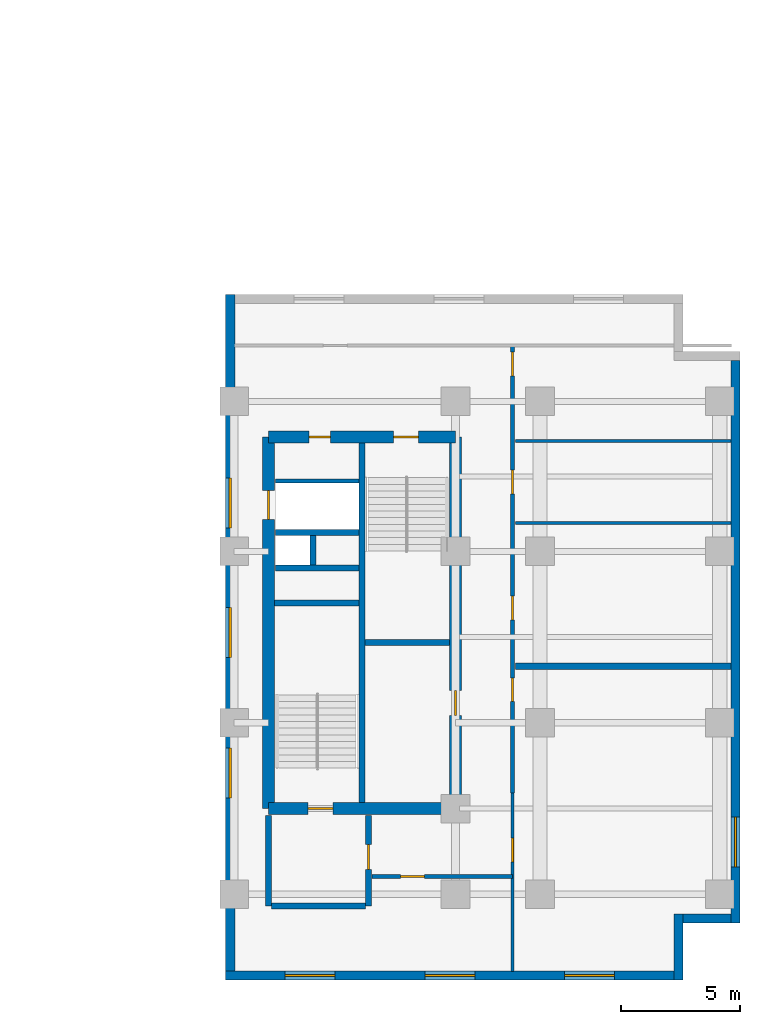
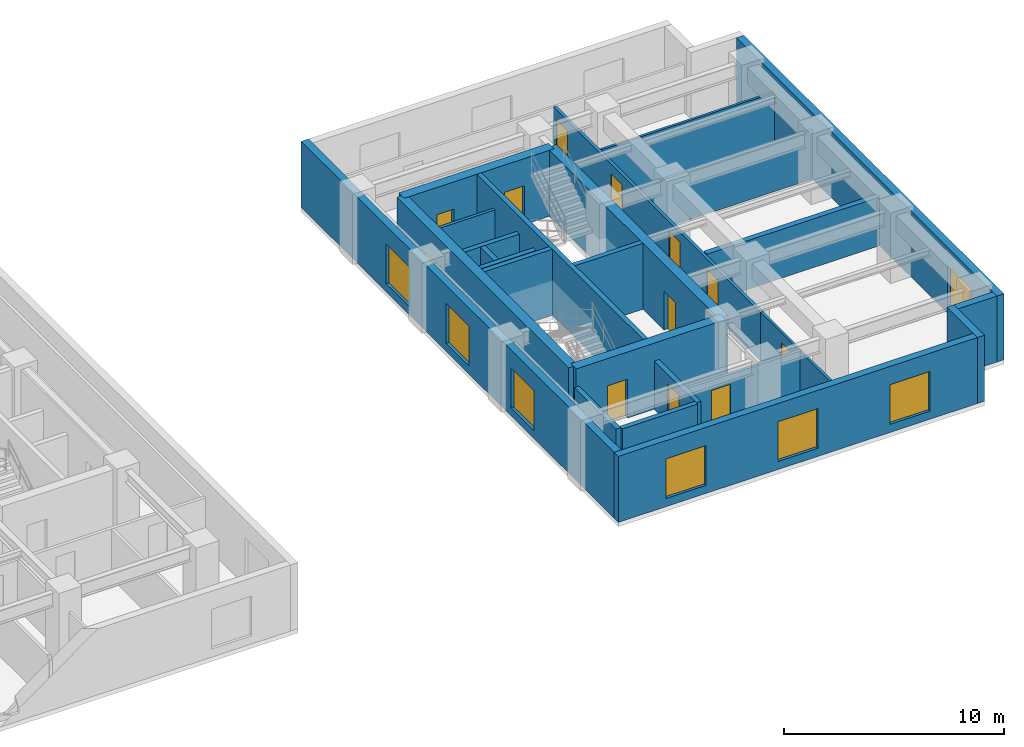
# One storey, part 4 of 8: 25 walls, 12 doors, 7 windows, 19 openings.
"""IFC4 building model written with IfcOpenShell, lengths in metres."""

from ifc_helpers import new_model, entity, si_unit, converted_unit, direction, frame, origin_with_axes, origin_2d_with_axis, place, context, subcontext, project, spatial, polyline, rectangle, outline, extrude, material, layer, layer_set, type_object, element, fill, save


model = new_model("IFC4")

# Units and contexts
model_context = context("Model", 3, precision=1e-05, world=origin_with_axes(), true_north=direction((0.0, 1.0)))
body_context = subcontext(model_context, "Body", "Model", "MODEL_VIEW")
ifc_project = project(units=[si_unit("LENGTHUNIT", "METRE"), si_unit("AREAUNIT", "SQUARE_METRE"), si_unit("VOLUMEUNIT", "CUBIC_METRE"), converted_unit("PLANEANGLEUNIT", "DEGREE", entity("IfcPlaneAngleMeasure", 0.017453292519943295), si_unit("PLANEANGLEUNIT", "RADIAN"), dimensions=[0, 0, 0, 0, 0, 0, 0]), si_unit("MASSUNIT", "GRAM", prefix="KILO"), si_unit("THERMODYNAMICTEMPERATUREUNIT", "KELVIN")], contexts=[model_context])

# Site, building, storey
site_placement = place(None, origin_with_axes())
site = spatial("IfcSite", under=ifc_project, at=site_placement, CompositionType="ELEMENT")
building_placement = place(site_placement, origin_with_axes())
building = spatial("IfcBuilding", under=site, at=building_placement, Name="Varnlund Millrace Tower", CompositionType="ELEMENT")
storey_placement = place(building_placement, frame((0.0, 0.0, 116.4), z_axis=(0.0, 0.0, 1.0), x_axis=(1.0, 0.0, 0.0)))
storey = spatial("IfcBuildingStorey", under=building, at=storey_placement, Name="L28", CompositionType="ELEMENT", Elevation=116.4)

# Wall, opening, door
ifc_material_1 = material(Name="Concrete C70/85", Category="concrete")
ifc_layer_1 = layer(ifc_material_1, 0.5, Name="Concrete C70/85")
ifc_layer_set_1 = layer_set([ifc_layer_1], Name="Concrete C70/85")
wall_type_1 = type_object("IfcWallType", Name="Type-CoreWall-Shear-500-C70", PredefinedType="SHEAR", material=ifc_layer_set_1)
wall_1_placement = place(storey_placement, frame((40.2, 7.2, 0.0), z_axis=(0.0, 0.0, 1.0), x_axis=(0.0, 1.0, 0.0)))
wall_1 = element("IfcWall", 1, at=wall_1_placement, inside=storey, type_object=wall_type_1, Name="Type-CoreWall-Shear-500-C70", PredefinedType="SHEAR", context=body_context, shape_type="SweptSolid", body=[
    extrude(outline(polyline([(0.0, -0.25), (15.6, -0.25), (15.6, 0.25), (0.0, 0.25), (0.0, -0.25)])), origin_with_axes(), (0.0, 0.0, 1.0), 3.66),
])
opening_1_placement = place(wall_1_placement, frame((12.75, 0.0, 0.0), z_axis=(0.0, 0.0, 1.0), x_axis=(1.0, 0.0, 0.0)))
opening_1 = element("IfcOpeningElement", 2, at=opening_1_placement, cuts=wall_1, Name="Opening L28:LD-SRV2", PredefinedType="OPENING", context=body_context, shape_type="SweptSolid", body=[
    extrude(rectangle(XDim=1.2, YDim=0.52, at=origin_2d_with_axis()), origin_with_axes(), (0.0, 0.0, 1.0), 2.15),
])
ifc_material_2 = material(Name="Heavy-duty freight sliding landing door")
door_type_1 = type_object("IfcDoorType", Name="Type-LiftLandingDoor-Service-1200X2150", OperationType="NOTDEFINED", PredefinedType="DOOR", material=ifc_material_2)
door_1_placement = place(wall_1_placement, frame((12.75, 0.0, 0.0), z_axis=(0.0, 0.0, 1.0), x_axis=(1.0, 0.0, 0.0)))
door_1 = element("IfcDoor", 3, at=door_1_placement, inside=storey, type_object=door_type_1, Name="Type-LiftLandingDoor-Service-1200X2150", OperationType="DOUBLE_DOOR_SLIDING", OverallHeight=2.15, OverallWidth=1.2, PredefinedType="DOOR", context=body_context, shape_type="SweptSolid", body=[
    extrude(rectangle(XDim=1.2, YDim=0.09, at=origin_2d_with_axis()), origin_with_axes(), (0.0, 0.0, 1.0), 2.15),
])
fill(opening_1, door_1)

wall_2_placement = place(storey_placement, frame((40.2, 7.2, 0.0), z_axis=(0.0, 0.0, 1.0), x_axis=(1.0, 0.0, 0.0)))
wall_2 = element("IfcWall", 4, at=wall_2_placement, inside=storey, type_object=wall_type_1, Name="Type-CoreWall-Shear-500-C70", PredefinedType="SHEAR", context=body_context, shape_type="SweptSolid", body=[
    extrude(outline(polyline([(0.0, -0.25), (7.85, -0.25), (7.85, 0.25), (0.0, 0.25), (0.0, -0.25)])), origin_with_axes(), (0.0, 0.0, 1.0), 3.66),
])
opening_2_placement = place(wall_2_placement, frame((2.175, 0.0, 0.0), z_axis=(0.0, 0.0, 1.0), x_axis=(1.0, 0.0, 0.0)))
opening_2 = element("IfcOpeningElement", 5, at=opening_2_placement, cuts=wall_2, Name="Opening L28:DR-STB1", PredefinedType="OPENING", context=body_context, shape_type="SweptSolid", body=[
    extrude(rectangle(XDim=1.05, YDim=0.52, at=origin_2d_with_axis()), origin_with_axes(), (0.0, 0.0, 1.0), 2.15),
])
ifc_material_3 = material(Name="Fire-rated hollow steel door", Category="steel")
door_type_2 = type_object("IfcDoorType", Name="Type-FireDoor-Stair-1050X2150", OperationType="NOTDEFINED", PredefinedType="DOOR", material=ifc_material_3)
door_2_placement = place(wall_2_placement, frame((2.175, 0.0, 0.0), z_axis=(0.0, 0.0, 1.0), x_axis=(1.0, 0.0, 0.0)))
door_2 = element("IfcDoor", 6, at=door_2_placement, inside=storey, type_object=door_type_2, Name="Type-FireDoor-Stair-1050X2150", OperationType="SINGLE_SWING_LEFT", OverallHeight=2.15, OverallWidth=1.05, PredefinedType="DOOR", context=body_context, shape_type="SweptSolid", body=[
    extrude(rectangle(XDim=1.05, YDim=0.09, at=origin_2d_with_axis()), origin_with_axes(), (0.0, 0.0, 1.0), 2.15),
])
fill(opening_2, door_2)

# Wall, openings, doors
wall_3_placement = place(storey_placement, frame((40.2, 22.8, 0.0), z_axis=(0.0, 0.0, 1.0), x_axis=(1.0, 0.0, 0.0)))
wall_3 = element("IfcWall", 7, at=wall_3_placement, inside=storey, type_object=wall_type_1, Name="Type-CoreWall-Shear-500-C70", PredefinedType="SHEAR", context=body_context, shape_type="SweptSolid", body=[
    extrude(outline(polyline([(0.0, -0.25), (7.85, -0.25), (7.85, 0.25), (0.0, 0.25), (0.0, -0.25)])), origin_with_axes(), (0.0, 0.0, 1.0), 3.66),
])
opening_3_placement = place(wall_3_placement, frame((5.775, 0.0, 0.0), z_axis=(0.0, 0.0, 1.0), x_axis=(1.0, 0.0, 0.0)))
opening_3 = element("IfcOpeningElement", 8, at=opening_3_placement, cuts=wall_3, Name="Opening L28:DR-STB2", PredefinedType="OPENING", context=body_context, shape_type="SweptSolid", body=[
    extrude(rectangle(XDim=1.05, YDim=0.52, at=origin_2d_with_axis()), origin_with_axes(), (0.0, 0.0, 1.0), 2.15),
])
opening_4_placement = place(wall_3_placement, frame((2.15, 0.0, 0.0), z_axis=(0.0, 0.0, 1.0), x_axis=(1.0, 0.0, 0.0)))
opening_4 = element("IfcOpeningElement", 9, at=opening_4_placement, cuts=wall_3, Name="Opening L28:DR-CB-NW", PredefinedType="OPENING", context=body_context, shape_type="SweptSolid", body=[
    extrude(rectangle(XDim=0.9, YDim=0.52, at=origin_2d_with_axis()), origin_with_axes(), (0.0, 0.0, 1.0), 2.15),
])
ifc_material_4 = material(Name="Fire-rated hollow steel service closet door", Category="steel")
door_type_3 = type_object("IfcDoorType", Name="Type-FireDoor-Closet-900X2150", OperationType="NOTDEFINED", PredefinedType="DOOR", material=ifc_material_4)
door_3_placement = place(wall_3_placement, frame((2.15, 0.0, 0.0), z_axis=(0.0, 0.0, 1.0), x_axis=(1.0, 0.0, 0.0)))
door_3 = element("IfcDoor", 10, at=door_3_placement, inside=storey, type_object=door_type_3, Name="Type-FireDoor-Closet-900X2150", OperationType="SINGLE_SWING_LEFT", OverallHeight=2.15, OverallWidth=0.9, PredefinedType="DOOR", context=body_context, shape_type="SweptSolid", body=[
    extrude(rectangle(XDim=0.9, YDim=0.09, at=origin_2d_with_axis()), origin_with_axes(), (0.0, 0.0, 1.0), 2.15),
])
fill(opening_4, door_3)
door_4_placement = place(wall_3_placement, frame((5.775, 0.0, 0.0), z_axis=(0.0, 0.0, 1.0), x_axis=(1.0, 0.0, 0.0)))
door_4 = element("IfcDoor", 11, at=door_4_placement, inside=storey, type_object=door_type_2, Name="Type-FireDoor-Stair-1050X2150", OperationType="SINGLE_SWING_RIGHT", OverallHeight=2.15, OverallWidth=1.05, PredefinedType="DOOR", context=body_context, shape_type="SweptSolid", body=[
    extrude(rectangle(XDim=1.05, YDim=0.09, at=origin_2d_with_axis()), origin_with_axes(), (0.0, 0.0, 1.0), 2.15),
])
fill(opening_3, door_4)

# Wall, opening, door
wall_4_placement = place(storey_placement, frame((48.05, 7.2, 0.0), z_axis=(0.0, 0.0, 1.0), x_axis=(0.0, 1.0, 0.0)))
wall_4 = element("IfcWall", 12, at=wall_4_placement, inside=storey, type_object=wall_type_1, Name="Type-CoreWall-Shear-500-C70", PredefinedType="SHEAR", context=body_context, shape_type="SweptSolid", body=[
    extrude(outline(polyline([(0.0, -0.25), (15.6, -0.25), (15.6, 0.25), (0.0, 0.25), (0.0, -0.25)])), origin_with_axes(), (0.0, 0.0, 1.0), 3.66),
])
opening_5_placement = place(wall_4_placement, frame((4.425, 0.0, 0.0), z_axis=(0.0, 0.0, 1.0), x_axis=(1.0, 0.0, 0.0)))
opening_5 = element("IfcOpeningElement", 13, at=opening_5_placement, cuts=wall_4, Name="Opening L28:DR-CB-WC", PredefinedType="OPENING", context=body_context, shape_type="SweptSolid", body=[
    extrude(rectangle(XDim=1.05, YDim=0.52, at=origin_2d_with_axis()), origin_with_axes(), (0.0, 0.0, 1.0), 2.15),
])
ifc_material_5 = material(Name="Smoke-barrier hollow steel fire door", Category="steel")
door_type_4 = type_object("IfcDoorType", Name="Type-FireDoor-Lobby-1050X2150", OperationType="NOTDEFINED", PredefinedType="DOOR", material=ifc_material_5)
door_5_placement = place(wall_4_placement, frame((4.425, 0.0, 0.0), z_axis=(0.0, 0.0, 1.0), x_axis=(1.0, 0.0, 0.0)))
door_5 = element("IfcDoor", 14, at=door_5_placement, inside=storey, type_object=door_type_4, Name="Type-FireDoor-Lobby-1050X2150", OperationType="SINGLE_SWING_RIGHT", OverallHeight=2.15, OverallWidth=1.05, PredefinedType="DOOR", context=body_context, shape_type="SweptSolid", body=[
    extrude(rectangle(XDim=1.05, YDim=0.09, at=origin_2d_with_axis()), origin_with_axes(), (0.0, 0.0, 1.0), 2.15),
])
fill(opening_5, door_5)

# Wall, opening, window
ifc_material_6 = material(Name="Precast concrete C50/60", Category="concrete")
ifc_layer_2 = layer(ifc_material_6, 0.38, Name="Precast concrete C50/60")
ifc_layer_set_2 = layer_set([ifc_layer_2], Name="Precast concrete C50/60")
wall_type_2 = type_object("IfcWallType", Name="Type-ExtWall-Precast-Tube-380", PredefinedType="SOLIDWALL", material=ifc_layer_set_2)
wall_5_placement = place(storey_placement, frame((59.81, 26.02, 0.0), z_axis=(0.0, 0.0, 1.0), x_axis=(0.0, -1.0, 0.0)))
wall_5 = element("IfcWall", 15, at=wall_5_placement, inside=storey, type_object=wall_type_2, Name="Type-ExtWall-Precast-Tube-380", PredefinedType="SOLIDWALL", context=body_context, shape_type="SweptSolid", body=[
    extrude(outline(polyline([(0.0, -0.19), (23.62, -0.19), (23.62, 0.19), (0.0, 0.19), (0.0, -0.19)])), origin_with_axes(), (0.0, 0.0, 1.0), 3.66),
])
opening_6_placement = place(wall_5_placement, frame((20.218, 0.0, 0.45), z_axis=(0.0, 0.0, 1.0), x_axis=(1.0, 0.0, 0.0)))
opening_6 = element("IfcOpeningElement", 16, at=opening_6_placement, cuts=wall_5, Name="Opening L28:WN-14", PredefinedType="OPENING", context=body_context, shape_type="SweptSolid", body=[
    extrude(rectangle(XDim=2.1, YDim=0.4, at=origin_2d_with_axis()), origin_with_axes(), (0.0, 0.0, 1.0), 2.2),
])
ifc_material_7 = material(Name="Argon low-e triple glazing in thermally broken bronze frame", Category="glass")
window_type = type_object("IfcWindowType", Name="Type-Window-Punched-2100X2200", PartitioningType="SINGLE_PANEL", PredefinedType="WINDOW", material=ifc_material_7)
window_1_placement = place(wall_5_placement, frame((20.218, 0.0, 0.45), z_axis=(0.0, 0.0, 1.0), x_axis=(1.0, 0.0, 0.0)))
window_1 = element("IfcWindow", 17, at=window_1_placement, inside=storey, type_object=window_type, Name="Type-Window-Punched-2100X2200", OverallHeight=2.2, OverallWidth=2.1, PredefinedType="WINDOW", context=body_context, shape_type="SweptSolid", body=[
    extrude(rectangle(XDim=2.1, YDim=0.09, at=origin_2d_with_axis()), origin_with_axes(), (0.0, 0.0, 1.0), 2.2),
])
fill(opening_6, window_1)

# Walls
wall_6_placement = place(storey_placement, frame((59.62, 2.59, 0.0), z_axis=(0.0, 0.0, 1.0), x_axis=(-1.0, 0.0, 0.0)))
element("IfcWall", 18, at=wall_6_placement, inside=storey, type_object=wall_type_2, Name="Type-ExtWall-Precast-Tube-380", PredefinedType="SOLIDWALL", context=body_context, shape_type="SweptSolid", body=[
    extrude(outline(polyline([(0.0, -0.19), (2.02, -0.19), (2.02, 0.19), (0.0, 0.19), (0.0, -0.19)])), origin_with_axes(), (0.0, 0.0, 1.0), 3.66),
])
wall_7_placement = place(storey_placement, frame((57.41, 2.78, 0.0), z_axis=(0.0, 0.0, 1.0), x_axis=(0.0, -1.0, 0.0)))
element("IfcWall", 19, at=wall_7_placement, inside=storey, type_object=wall_type_2, Name="Type-ExtWall-Precast-Tube-380", PredefinedType="SOLIDWALL", context=body_context, shape_type="SweptSolid", body=[
    extrude(outline(polyline([(0.0, -0.19), (2.78, -0.19), (2.78, 0.19), (0.0, 0.19), (0.0, -0.19)])), origin_with_axes(), (0.0, 0.0, 1.0), 3.66),
])

# Wall, openings, windows
wall_8_placement = place(storey_placement, frame((57.22, 0.19, 0.0), z_axis=(0.0, 0.0, 1.0), x_axis=(-1.0, 0.0, 0.0)))
wall_8 = element("IfcWall", 20, at=wall_8_placement, inside=storey, type_object=wall_type_2, Name="Type-ExtWall-Precast-Tube-380", PredefinedType="SOLIDWALL", context=body_context, shape_type="SweptSolid", body=[
    extrude(outline(polyline([(0.0, -0.19), (18.82, -0.19), (18.82, 0.19), (0.0, 0.19), (0.0, -0.19)])), origin_with_axes(), (0.0, 0.0, 1.0), 3.66),
])
opening_7_placement = place(wall_8_placement, frame((3.537, 0.0, 0.45), z_axis=(0.0, 0.0, 1.0), x_axis=(1.0, 0.0, 0.0)))
opening_7 = element("IfcOpeningElement", 21, at=opening_7_placement, cuts=wall_8, Name="Opening L28:WN-15", PredefinedType="OPENING", context=body_context, shape_type="SweptSolid", body=[
    extrude(rectangle(XDim=2.1, YDim=0.4, at=origin_2d_with_axis()), origin_with_axes(), (0.0, 0.0, 1.0), 2.2),
])
opening_8_placement = place(wall_8_placement, frame((9.41, 0.0, 0.45), z_axis=(0.0, 0.0, 1.0), x_axis=(1.0, 0.0, 0.0)))
opening_8 = element("IfcOpeningElement", 22, at=opening_8_placement, cuts=wall_8, Name="Opening L28:WN-16", PredefinedType="OPENING", context=body_context, shape_type="SweptSolid", body=[
    extrude(rectangle(XDim=2.1, YDim=0.4, at=origin_2d_with_axis()), origin_with_axes(), (0.0, 0.0, 1.0), 2.2),
])
opening_9_placement = place(wall_8_placement, frame((15.283, 0.0, 0.45), z_axis=(0.0, 0.0, 1.0), x_axis=(1.0, 0.0, 0.0)))
opening_9 = element("IfcOpeningElement", 23, at=opening_9_placement, cuts=wall_8, Name="Opening L28:WN-17", PredefinedType="OPENING", context=body_context, shape_type="SweptSolid", body=[
    extrude(rectangle(XDim=2.1, YDim=0.4, at=origin_2d_with_axis()), origin_with_axes(), (0.0, 0.0, 1.0), 2.2),
])
window_2_placement = place(wall_8_placement, frame((3.537, 0.0, 0.45), z_axis=(0.0, 0.0, 1.0), x_axis=(1.0, 0.0, 0.0)))
window_2 = element("IfcWindow", 24, at=window_2_placement, inside=storey, type_object=window_type, Name="Type-Window-Punched-2100X2200", OverallHeight=2.2, OverallWidth=2.1, PredefinedType="WINDOW", context=body_context, shape_type="SweptSolid", body=[
    extrude(rectangle(XDim=2.1, YDim=0.09, at=origin_2d_with_axis()), origin_with_axes(), (0.0, 0.0, 1.0), 2.2),
])
fill(opening_7, window_2)
window_3_placement = place(wall_8_placement, frame((9.41, 0.0, 0.45), z_axis=(0.0, 0.0, 1.0), x_axis=(1.0, 0.0, 0.0)))
window_3 = element("IfcWindow", 25, at=window_3_placement, inside=storey, type_object=window_type, Name="Type-Window-Punched-2100X2200", OverallHeight=2.2, OverallWidth=2.1, PredefinedType="WINDOW", context=body_context, shape_type="SweptSolid", body=[
    extrude(rectangle(XDim=2.1, YDim=0.09, at=origin_2d_with_axis()), origin_with_axes(), (0.0, 0.0, 1.0), 2.2),
])
fill(opening_8, window_3)
window_4_placement = place(wall_8_placement, frame((15.283, 0.0, 0.45), z_axis=(0.0, 0.0, 1.0), x_axis=(1.0, 0.0, 0.0)))
window_4 = element("IfcWindow", 26, at=window_4_placement, inside=storey, type_object=window_type, Name="Type-Window-Punched-2100X2200", OverallHeight=2.2, OverallWidth=2.1, PredefinedType="WINDOW", context=body_context, shape_type="SweptSolid", body=[
    extrude(rectangle(XDim=2.1, YDim=0.09, at=origin_2d_with_axis()), origin_with_axes(), (0.0, 0.0, 1.0), 2.2),
])
fill(opening_9, window_4)

wall_9_placement = place(storey_placement, frame((38.59, 0.38, 0.0), z_axis=(0.0, 0.0, 1.0), x_axis=(0.0, 1.0, 0.0)))
wall_9 = element("IfcWall", 27, at=wall_9_placement, inside=storey, type_object=wall_type_2, Name="Type-ExtWall-Precast-Tube-380", PredefinedType="SOLIDWALL", context=body_context, shape_type="SweptSolid", body=[
    extrude(outline(polyline([(0.0, -0.19), (28.42, -0.19), (28.42, 0.19), (0.0, 0.19), (0.0, -0.19)])), origin_with_axes(), (0.0, 0.0, 1.0), 3.66),
])
opening_10_placement = place(wall_9_placement, frame((8.316, 0.0, 0.45), z_axis=(0.0, 0.0, 1.0), x_axis=(1.0, 0.0, 0.0)))
opening_10 = element("IfcOpeningElement", 28, at=opening_10_placement, cuts=wall_9, Name="Opening L28:WN-18", PredefinedType="OPENING", context=body_context, shape_type="SweptSolid", body=[
    extrude(rectangle(XDim=2.1, YDim=0.4, at=origin_2d_with_axis()), origin_with_axes(), (0.0, 0.0, 1.0), 2.2),
])
opening_11_placement = place(wall_9_placement, frame((14.21, 0.0, 0.45), z_axis=(0.0, 0.0, 1.0), x_axis=(1.0, 0.0, 0.0)))
opening_11 = element("IfcOpeningElement", 29, at=opening_11_placement, cuts=wall_9, Name="Opening L28:WN-19", PredefinedType="OPENING", context=body_context, shape_type="SweptSolid", body=[
    extrude(rectangle(XDim=2.1, YDim=0.4, at=origin_2d_with_axis()), origin_with_axes(), (0.0, 0.0, 1.0), 2.2),
])
opening_12_placement = place(wall_9_placement, frame((19.654, 0.0, 0.45), z_axis=(0.0, 0.0, 1.0), x_axis=(1.0, 0.0, 0.0)))
opening_12 = element("IfcOpeningElement", 30, at=opening_12_placement, cuts=wall_9, Name="Opening L28:WN-20", PredefinedType="OPENING", context=body_context, shape_type="SweptSolid", body=[
    extrude(rectangle(XDim=2.1, YDim=0.4, at=origin_2d_with_axis()), origin_with_axes(), (0.0, 0.0, 1.0), 2.2),
])
window_5_placement = place(wall_9_placement, frame((8.316, 0.0, 0.45), z_axis=(0.0, 0.0, 1.0), x_axis=(1.0, 0.0, 0.0)))
window_5 = element("IfcWindow", 31, at=window_5_placement, inside=storey, type_object=window_type, Name="Type-Window-Punched-2100X2200", OverallHeight=2.2, OverallWidth=2.1, PredefinedType="WINDOW", context=body_context, shape_type="SweptSolid", body=[
    extrude(rectangle(XDim=2.1, YDim=0.09, at=origin_2d_with_axis()), origin_with_axes(), (0.0, 0.0, 1.0), 2.2),
])
fill(opening_10, window_5)
window_6_placement = place(wall_9_placement, frame((14.21, 0.0, 0.45), z_axis=(0.0, 0.0, 1.0), x_axis=(1.0, 0.0, 0.0)))
window_6 = element("IfcWindow", 32, at=window_6_placement, inside=storey, type_object=window_type, Name="Type-Window-Punched-2100X2200", OverallHeight=2.2, OverallWidth=2.1, PredefinedType="WINDOW", context=body_context, shape_type="SweptSolid", body=[
    extrude(rectangle(XDim=2.1, YDim=0.09, at=origin_2d_with_axis()), origin_with_axes(), (0.0, 0.0, 1.0), 2.2),
])
fill(opening_11, window_6)
window_7_placement = place(wall_9_placement, frame((19.654, 0.0, 0.45), z_axis=(0.0, 0.0, 1.0), x_axis=(1.0, 0.0, 0.0)))
window_7 = element("IfcWindow", 33, at=window_7_placement, inside=storey, type_object=window_type, Name="Type-Window-Punched-2100X2200", OverallHeight=2.2, OverallWidth=2.1, PredefinedType="WINDOW", context=body_context, shape_type="SweptSolid", body=[
    extrude(rectangle(XDim=2.1, YDim=0.09, at=origin_2d_with_axis()), origin_with_axes(), (0.0, 0.0, 1.0), 2.2),
])
fill(opening_12, window_7)

# Walls
ifc_material_8 = material(Name="Double-stud STC-60 conference acoustic partition", Category="gypsum")
ifc_layer_3 = layer(ifc_material_8, 0.28, Name="Double-stud STC-60 conference acoustic partition")
ifc_layer_set_3 = layer_set([ifc_layer_3], Name="Double-stud STC-60 conference acoustic partition")
wall_type_3 = type_object("IfcWallType", Name="Type-Partition-Acoustic-280", PredefinedType="PARTITIONING", material=ifc_layer_set_3)
wall_10_placement = place(storey_placement, frame((50.57, 13.177, 0.0), z_axis=(0.0, 0.0, 1.0), x_axis=(1.0, 0.0, 0.0)))
element("IfcWall", 34, at=wall_10_placement, inside=storey, type_object=wall_type_3, Name="Type-Partition-Acoustic-280", PredefinedType="PARTITIONING", context=body_context, shape_type="SweptSolid", body=[
    extrude(outline(polyline([(0.0, -0.14), (9.055, -0.14), (9.055, 0.14), (0.0, 0.14), (0.0, -0.14)])), origin_with_axes(), (0.0, 0.0, 1.0), 2.7),
])
ifc_material_9 = material(Name="Fire-rated gypsum board on cold-formed steel framing", Category="steel")
ifc_layer_4 = layer(ifc_material_9, 0.16, Name="Fire-rated gypsum board on cold-formed steel framing")
ifc_layer_set_4 = layer_set([ifc_layer_4], Name="Fire-rated gypsum board on cold-formed steel framing")
wall_type_4 = type_object("IfcWallType", Name="Type-Partition-Corridor-160", PredefinedType="PARTITIONING", material=ifc_layer_set_4)
wall_11_placement = place(storey_placement, frame((40.5, 20.96, 0.0), z_axis=(0.0, 0.0, 1.0), x_axis=(1.0, 0.0, 0.0)))
element("IfcWall", 35, at=wall_11_placement, inside=storey, type_object=wall_type_4, Name="Type-Partition-Corridor-160", PredefinedType="PARTITIONING", context=body_context, shape_type="SweptSolid", body=[
    extrude(outline(polyline([(0.0, -0.08), (3.5, -0.08), (3.5, 0.08), (0.0, 0.08), (0.0, -0.08)])), origin_with_axes(), (0.0, 0.0, 1.0), 2.7),
])

# Wall, openings, doors
wall_12_placement = place(storey_placement, frame((50.45, 7.85, 0.0), z_axis=(0.0, 0.0, 1.0), x_axis=(0.0, 1.0, 0.0)))
wall_12 = element("IfcWall", 36, at=wall_12_placement, inside=storey, type_object=wall_type_4, Name="Type-Partition-Corridor-160", PredefinedType="PARTITIONING", context=body_context, shape_type="SweptSolid", body=[
    extrude(outline(polyline([(0.0, -0.08), (18.8, -0.08), (18.8, 0.08), (0.0, 0.08), (0.0, -0.08)])), origin_with_axes(), (0.0, 0.0, 1.0), 2.7),
])
opening_13_placement = place(wall_12_placement, frame((4.344, 0.0, 0.0), z_axis=(0.0, 0.0, 1.0), x_axis=(1.0, 0.0, 0.0)))
opening_13 = element("IfcOpeningElement", 37, at=opening_13_placement, cuts=wall_12, Name="Opening L28:DR-WB-01", PredefinedType="OPENING", context=body_context, shape_type="SweptSolid", body=[
    extrude(rectangle(XDim=1.0, YDim=0.18, at=origin_2d_with_axis()), origin_with_axes(), (0.0, 0.0, 1.0), 2.15),
])
opening_14_placement = place(wall_12_placement, frame((7.776, 0.0, 0.0), z_axis=(0.0, 0.0, 1.0), x_axis=(1.0, 0.0, 0.0)))
opening_14 = element("IfcOpeningElement", 38, at=opening_14_placement, cuts=wall_12, Name="Opening L28:DR-WB-02", PredefinedType="OPENING", context=body_context, shape_type="SweptSolid", body=[
    extrude(rectangle(XDim=1.0, YDim=0.18, at=origin_2d_with_axis()), origin_with_axes(), (0.0, 0.0, 1.0), 2.15),
])
opening_15_placement = place(wall_12_placement, frame((13.071, 0.0, 0.0), z_axis=(0.0, 0.0, 1.0), x_axis=(1.0, 0.0, 0.0)))
opening_15 = element("IfcOpeningElement", 39, at=opening_15_placement, cuts=wall_12, Name="Opening L28:DR-WB-03", PredefinedType="OPENING", context=body_context, shape_type="SweptSolid", body=[
    extrude(rectangle(XDim=1.0, YDim=0.18, at=origin_2d_with_axis()), origin_with_axes(), (0.0, 0.0, 1.0), 2.15),
])
opening_16_placement = place(wall_12_placement, frame((18.018, 0.0, 0.0), z_axis=(0.0, 0.0, 1.0), x_axis=(1.0, 0.0, 0.0)))
opening_16 = element("IfcOpeningElement", 40, at=opening_16_placement, cuts=wall_12, Name="Opening L28:DR-WB-04", PredefinedType="OPENING", context=body_context, shape_type="SweptSolid", body=[
    extrude(rectangle(XDim=1.0, YDim=0.18, at=origin_2d_with_axis()), origin_with_axes(), (0.0, 0.0, 1.0), 2.15),
])
ifc_material_10 = material(Name="Solid-core white oak and bronze frame door")
door_type_5 = type_object("IfcDoorType", Name="Type-IntDoor-Office-1000X2150", OperationType="NOTDEFINED", PredefinedType="DOOR", material=ifc_material_10)
door_6_placement = place(wall_12_placement, frame((4.344, 0.0, 0.0), z_axis=(0.0, 0.0, 1.0), x_axis=(1.0, 0.0, 0.0)))
door_6 = element("IfcDoor", 41, at=door_6_placement, inside=storey, type_object=door_type_5, Name="Type-IntDoor-Office-1000X2150", OperationType="SINGLE_SWING_LEFT", OverallHeight=2.15, OverallWidth=1.0, PredefinedType="DOOR", context=body_context, shape_type="SweptSolid", body=[
    extrude(rectangle(XDim=1.0, YDim=0.09, at=origin_2d_with_axis()), origin_with_axes(), (0.0, 0.0, 1.0), 2.15),
])
fill(opening_13, door_6)
door_7_placement = place(wall_12_placement, frame((7.776, 0.0, 0.0), z_axis=(0.0, 0.0, 1.0), x_axis=(1.0, 0.0, 0.0)))
door_7 = element("IfcDoor", 42, at=door_7_placement, inside=storey, type_object=door_type_5, Name="Type-IntDoor-Office-1000X2150", OperationType="SINGLE_SWING_RIGHT", OverallHeight=2.15, OverallWidth=1.0, PredefinedType="DOOR", context=body_context, shape_type="SweptSolid", body=[
    extrude(rectangle(XDim=1.0, YDim=0.09, at=origin_2d_with_axis()), origin_with_axes(), (0.0, 0.0, 1.0), 2.15),
])
fill(opening_14, door_7)
door_8_placement = place(wall_12_placement, frame((13.071, 0.0, 0.0), z_axis=(0.0, 0.0, 1.0), x_axis=(1.0, 0.0, 0.0)))
door_8 = element("IfcDoor", 43, at=door_8_placement, inside=storey, type_object=door_type_5, Name="Type-IntDoor-Office-1000X2150", OperationType="SINGLE_SWING_LEFT", OverallHeight=2.15, OverallWidth=1.0, PredefinedType="DOOR", context=body_context, shape_type="SweptSolid", body=[
    extrude(rectangle(XDim=1.0, YDim=0.09, at=origin_2d_with_axis()), origin_with_axes(), (0.0, 0.0, 1.0), 2.15),
])
fill(opening_15, door_8)
door_9_placement = place(wall_12_placement, frame((18.018, 0.0, 0.0), z_axis=(0.0, 0.0, 1.0), x_axis=(1.0, 0.0, 0.0)))
door_9 = element("IfcDoor", 44, at=door_9_placement, inside=storey, type_object=door_type_5, Name="Type-IntDoor-Office-1000X2150", OperationType="SINGLE_SWING_RIGHT", OverallHeight=2.15, OverallWidth=1.0, PredefinedType="DOOR", context=body_context, shape_type="SweptSolid", body=[
    extrude(rectangle(XDim=1.0, YDim=0.09, at=origin_2d_with_axis()), origin_with_axes(), (0.0, 0.0, 1.0), 2.15),
])
fill(opening_16, door_9)

# Wall, opening, door
wall_13_placement = place(storey_placement, frame((44.55, 4.35, 0.0), z_axis=(0.0, 0.0, 1.0), x_axis=(1.0, 0.0, 0.0)))
wall_13 = element("IfcWall", 45, at=wall_13_placement, inside=storey, type_object=wall_type_4, Name="Type-Partition-Corridor-160", PredefinedType="PARTITIONING", context=body_context, shape_type="SweptSolid", body=[
    extrude(outline(polyline([(0.0, -0.08), (5.9, -0.08), (5.9, 0.08), (0.0, 0.08), (0.0, -0.08)])), origin_with_axes(), (0.0, 0.0, 1.0), 2.7),
])
opening_17_placement = place(wall_13_placement, frame((1.7, 0.0, 0.0), z_axis=(0.0, 0.0, 1.0), x_axis=(1.0, 0.0, 0.0)))
opening_17 = element("IfcOpeningElement", 46, at=opening_17_placement, cuts=wall_13, Name="Opening L28:DR-WBS-01", PredefinedType="OPENING", context=body_context, shape_type="SweptSolid", body=[
    extrude(rectangle(XDim=1.0, YDim=0.18, at=origin_2d_with_axis()), origin_with_axes(), (0.0, 0.0, 1.0), 2.15),
])
door_10_placement = place(wall_13_placement, frame((1.7, 0.0, 0.0), z_axis=(0.0, 0.0, 1.0), x_axis=(1.0, 0.0, 0.0)))
door_10 = element("IfcDoor", 47, at=door_10_placement, inside=storey, type_object=door_type_5, Name="Type-IntDoor-Office-1000X2150", OperationType="SINGLE_SWING_LEFT", OverallHeight=2.15, OverallWidth=1.0, PredefinedType="DOOR", context=body_context, shape_type="SweptSolid", body=[
    extrude(rectangle(XDim=1.0, YDim=0.09, at=origin_2d_with_axis()), origin_with_axes(), (0.0, 0.0, 1.0), 2.15),
])
fill(opening_17, door_10)

ifc_material_11 = material(Name="Gypsum board tenant partition", Category="gypsum")
ifc_layer_5 = layer(ifc_material_11, 0.125, Name="Gypsum board tenant partition")
ifc_layer_set_5 = layer_set([ifc_layer_5], Name="Gypsum board tenant partition")
wall_type_5 = type_object("IfcWallType", Name="Type-Partition-Tenant-125", PredefinedType="PARTITIONING", material=ifc_layer_set_5)
wall_14_placement = place(storey_placement, frame((50.45, 0.36, 0.0), z_axis=(0.0, 0.0, 1.0), x_axis=(0.0, 1.0, 0.0)))
wall_14 = element("IfcWall", 48, at=wall_14_placement, inside=storey, type_object=wall_type_5, Name="Type-Partition-Tenant-125", PredefinedType="PARTITIONING", context=body_context, shape_type="SweptSolid", body=[
    extrude(outline(polyline([(0.0, -0.0625), (7.49, -0.0625), (7.49, 0.0625), (0.0, 0.0625), (0.0, -0.0625)])), origin_with_axes(), (0.0, 0.0, 1.0), 2.7),
])
opening_18_placement = place(wall_14_placement, frame((5.1, 0.0, 0.0), z_axis=(0.0, 0.0, 1.0), x_axis=(1.0, 0.0, 0.0)))
opening_18 = element("IfcOpeningElement", 49, at=opening_18_placement, cuts=wall_14, Name="Opening L28:DR-WBS-02", PredefinedType="OPENING", context=body_context, shape_type="SweptSolid", body=[
    extrude(rectangle(XDim=1.0, YDim=0.145, at=origin_2d_with_axis()), origin_with_axes(), (0.0, 0.0, 1.0), 2.15),
])
door_11_placement = place(wall_14_placement, frame((5.1, 0.0, 0.0), z_axis=(0.0, 0.0, 1.0), x_axis=(1.0, 0.0, 0.0)))
door_11 = element("IfcDoor", 50, at=door_11_placement, inside=storey, type_object=door_type_5, Name="Type-IntDoor-Office-1000X2150", OperationType="SINGLE_SWING_LEFT", OverallHeight=2.15, OverallWidth=1.0, PredefinedType="DOOR", context=body_context, shape_type="SweptSolid", body=[
    extrude(rectangle(XDim=1.0, YDim=0.075, at=origin_2d_with_axis()), origin_with_axes(), (0.0, 0.0, 1.0), 2.15),
])
fill(opening_18, door_11)

# Walls
for number, where, z_axis, x_axis, name in (
    (51, (50.57, 19.195, 0.0), (0.0, 0.0, 1.0), (1.0, 0.0, 0.0), "Type-Partition-Tenant-125"),
    (52, (50.57, 22.647, 0.0), (0.0, 0.0, 1.0), (1.0, 0.0, 0.0), "Type-Partition-Tenant-125"),
):
    element("IfcWall", number, at=place(storey_placement, frame(where, z_axis=z_axis, x_axis=x_axis)), inside=storey, type_object=wall_type_5, Name=name, PredefinedType="PARTITIONING", context=body_context, shape_type="SweptSolid", body=[
        extrude(outline(polyline([(0.0, -0.0625), (9.055, -0.0625), (9.055, 0.0625), (0.0, 0.0625), (0.0, -0.0625)])), origin_with_axes(), (0.0, 0.0, 1.0), 2.7),
    ])
ifc_material_12 = material(Name="Concrete C60/75", Category="concrete")
ifc_layer_6 = layer(ifc_material_12, 0.25, Name="Concrete C60/75")
ifc_layer_set_6 = layer_set([ifc_layer_6], Name="Concrete C60/75")
wall_type_6 = type_object("IfcWallType", Name="Type-ShaftWall-Fire-250", PredefinedType="SOLIDWALL", material=ifc_layer_set_6)
for number, where, z_axis, x_axis, name in (
    (53, (40.5, 17.3, 0.0), (0.0, 0.0, 1.0), (1.0, 0.0, 0.0), "Type-ShaftWall-Fire-250"),
    (54, (40.5, 18.8, 0.0), (0.0, 0.0, 1.0), (1.0, 0.0, 0.0), "Type-ShaftWall-Fire-250"),
):
    element("IfcWall", number, at=place(storey_placement, frame(where, z_axis=z_axis, x_axis=x_axis)), inside=storey, type_object=wall_type_6, Name=name, PredefinedType="SOLIDWALL", context=body_context, shape_type="SweptSolid", body=[
        extrude(outline(polyline([(0.0, -0.125), (3.5, -0.125), (3.5, 0.125), (0.0, 0.125), (0.0, -0.125)])), origin_with_axes(), (0.0, 0.0, 1.0), 2.7),
    ])
wall_15_placement = place(storey_placement, frame((42.075, 17.43, 0.0), z_axis=(0.0, 0.0, 1.0), x_axis=(0.0, 1.0, 0.0)))
element("IfcWall", 55, at=wall_15_placement, inside=storey, type_object=wall_type_6, Name="Type-ShaftWall-Fire-250", PredefinedType="SOLIDWALL", context=body_context, shape_type="SweptSolid", body=[
    extrude(outline(polyline([(0.0, -0.125), (1.24, -0.125), (1.24, 0.125), (0.0, 0.125), (0.0, -0.125)])), origin_with_axes(), (0.0, 0.0, 1.0), 2.7),
])
wall_16_placement = place(storey_placement, frame((40.2, 3.1, 0.0), z_axis=(0.0, 0.0, 1.0), x_axis=(0.0, 1.0, 0.0)))
element("IfcWall", 56, at=wall_16_placement, inside=storey, type_object=wall_type_6, Name="Type-ShaftWall-Fire-250", PredefinedType="SOLIDWALL", context=body_context, shape_type="SweptSolid", body=[
    extrude(outline(polyline([(0.0, -0.125), (3.8, -0.125), (3.8, 0.125), (0.0, 0.125), (0.0, -0.125)])), origin_with_axes(), (0.0, 0.0, 1.0), 2.7),
])
wall_17_placement = place(storey_placement, frame((40.325, 3.1, 0.0), z_axis=(0.0, 0.0, 1.0), x_axis=(1.0, 0.0, 0.0)))
element("IfcWall", 57, at=wall_17_placement, inside=storey, type_object=wall_type_6, Name="Type-ShaftWall-Fire-250", PredefinedType="SOLIDWALL", context=body_context, shape_type="SweptSolid", body=[
    extrude(outline(polyline([(0.0, -0.125), (3.95, -0.125), (3.95, 0.125), (0.0, 0.125), (0.0, -0.125)])), origin_with_axes(), (0.0, 0.0, 1.0), 2.7),
])

# Wall, opening, door
wall_18_placement = place(storey_placement, frame((44.4, 3.1, 0.0), z_axis=(0.0, 0.0, 1.0), x_axis=(0.0, 1.0, 0.0)))
wall_18 = element("IfcWall", 58, at=wall_18_placement, inside=storey, type_object=wall_type_6, Name="Type-ShaftWall-Fire-250", PredefinedType="SOLIDWALL", context=body_context, shape_type="SweptSolid", body=[
    extrude(outline(polyline([(0.0, -0.125), (3.8, -0.125), (3.8, 0.125), (0.0, 0.125), (0.0, -0.125)])), origin_with_axes(), (0.0, 0.0, 1.0), 2.7),
])
opening_19_placement = place(wall_18_placement, frame((2.075, 0.0, 0.0), z_axis=(0.0, 0.0, 1.0), x_axis=(1.0, 0.0, 0.0)))
opening_19 = element("IfcOpeningElement", 59, at=opening_19_placement, cuts=wall_18, Name="Opening L28:DR-FFLOB-B", PredefinedType="OPENING", context=body_context, shape_type="SweptSolid", body=[
    extrude(rectangle(XDim=1.05, YDim=0.27, at=origin_2d_with_axis()), origin_with_axes(), (0.0, 0.0, 1.0), 2.15),
])
door_12_placement = place(wall_18_placement, frame((2.075, 0.0, 0.0), z_axis=(0.0, 0.0, 1.0), x_axis=(1.0, 0.0, 0.0)))
door_12 = element("IfcDoor", 60, at=door_12_placement, inside=storey, type_object=door_type_4, Name="Type-FireDoor-Lobby-1050X2150", OperationType="SINGLE_SWING_LEFT", OverallHeight=2.15, OverallWidth=1.05, PredefinedType="DOOR", context=body_context, shape_type="SweptSolid", body=[
    extrude(rectangle(XDim=1.05, YDim=0.09, at=origin_2d_with_axis()), origin_with_axes(), (0.0, 0.0, 1.0), 2.15),
])
fill(opening_19, door_12)

# Walls
wall_type_7 = type_object("IfcWallType", Name="Type-StairWall-Shear-250", PredefinedType="SHEAR", material=ifc_layer_set_6)
wall_19_placement = place(storey_placement, frame((44.125, 7.45, 0.0), z_axis=(0.0, 0.0, 1.0), x_axis=(0.0, 1.0, 0.0)))
element("IfcWall", 61, at=wall_19_placement, inside=storey, type_object=wall_type_7, Name="Type-StairWall-Shear-250", PredefinedType="SHEAR", context=body_context, shape_type="SweptSolid", body=[
    extrude(outline(polyline([(0.0, -0.125), (15.1, -0.125), (15.1, 0.125), (0.0, 0.125), (0.0, -0.125)])), origin_with_axes(), (0.0, 0.0, 1.0), 3.66),
])
for number, where, z_axis, x_axis, name in (
    (62, (40.45, 15.825, 0.0), (0.0, 0.0, 1.0), (1.0, 0.0, 0.0), "Type-StairWall-Shear-250"),
    (63, (44.25, 14.175, 0.0), (0.0, 0.0, 1.0), (1.0, 0.0, 0.0), "Type-StairWall-Shear-250"),
):
    element("IfcWall", number, at=place(storey_placement, frame(where, z_axis=z_axis, x_axis=x_axis)), inside=storey, type_object=wall_type_7, Name=name, PredefinedType="SHEAR", context=body_context, shape_type="SweptSolid", body=[
        extrude(outline(polyline([(0.0, -0.125), (3.55, -0.125), (3.55, 0.125), (0.0, 0.125), (0.0, -0.125)])), origin_with_axes(), (0.0, 0.0, 1.0), 3.66),
    ])

save(model, "model.ifc")
